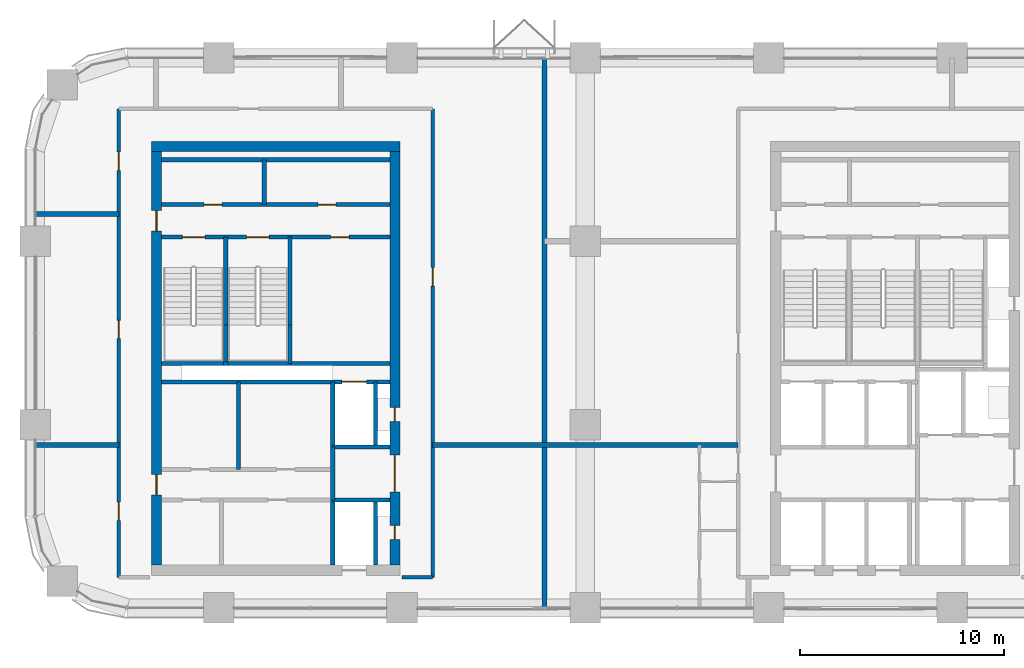
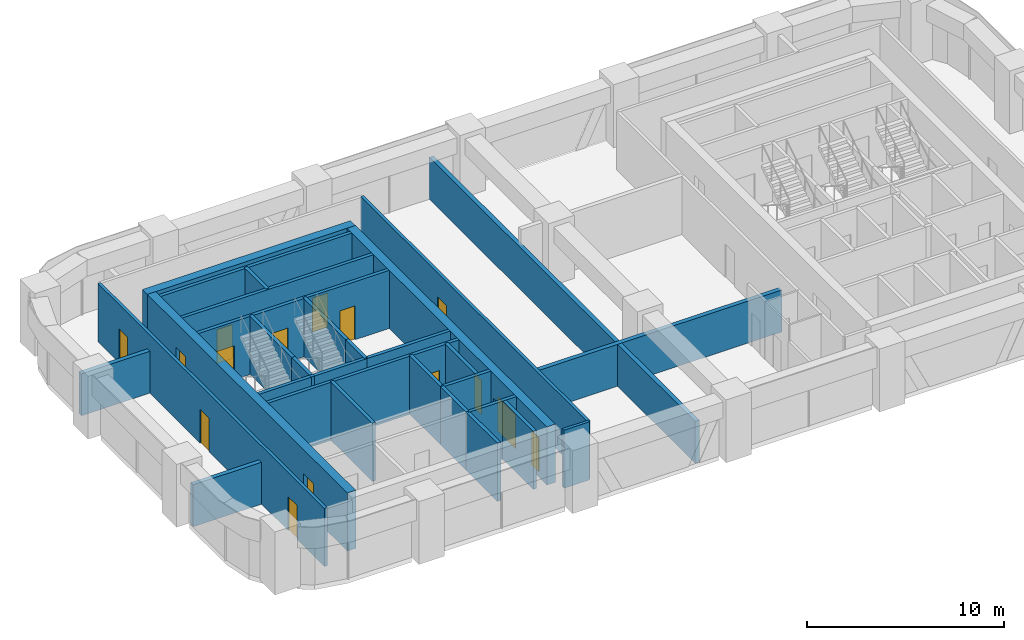
# One storey, part 9 of 14: 32 walls, 15 doors, 15 openings.
"""IFC4 building model written with IfcOpenShell, lengths in metres."""

from ifc_helpers import new_model, si_unit, direction, frame, frame_2d, origin, place, context, subcontext, project, spatial, rectangle, extrude, material, layer, layer_set, type_object, element, fill, save


model = new_model("IFC4")

# Units and contexts
model_context = context("Model", 3, precision=1e-05, world=origin(), true_north=direction((0.0, 1.0)))
body_context = subcontext(model_context, "Body", "Model", "MODEL_VIEW")
ifc_project = project(units=[si_unit("LENGTHUNIT", "METRE"), si_unit("AREAUNIT", "SQUARE_METRE"), si_unit("VOLUMEUNIT", "CUBIC_METRE"), si_unit("PLANEANGLEUNIT", "RADIAN"), si_unit("MASSUNIT", "GRAM", prefix="KILO")], contexts=[model_context])

# Site, building, storey
site_placement = place(None, origin())
site = spatial("IfcSite", under=ifc_project, at=site_placement, CompositionType="ELEMENT")
building_placement = place(site_placement, origin())
building = spatial("IfcBuilding", under=site, at=building_placement, Name="Tessera Arch", CompositionType="ELEMENT")
storey_placement = place(building_placement, frame((0.0, 0.0, 177.800048828125)))
storey = spatial("IfcBuildingStorey", under=building, at=storey_placement, Name="L42", CompositionType="ELEMENT", Elevation=177.800048828125)

# Walls
ifc_material_1 = material(Name="Gypsum board on steel stud", Category="steel")
ifc_layer_1 = layer(ifc_material_1, 0.125)
ifc_layer_set_1 = layer_set([ifc_layer_1], Name="Core partition 125 EI 60")
wall_type_1 = type_object("IfcWallType", Name="Core partition 125 EI 60", PredefinedType="PARTITIONING", material=ifc_layer_set_1)
wall_1_placement = place(storey_placement, frame((9.97998046875, 33.800048828125, 0.0), z_axis=(0.0, 0.0, 1.0), x_axis=(0.0, 1.0, 0.0)))
element("IfcWall", 1, at=wall_1_placement, inside=storey, type_object=wall_type_1, Name="L42 C2 partition wall 4", PredefinedType="PARTITIONING", context=body_context, shape_type="SweptSolid", body=[
    extrude(rectangle(XDim=4.300048828125, YDim=0.199951171875, at=frame_2d((2.14990234375, 0.0))), origin(), (0.0, 0.0, 1.0), 3.599853515625),
])
wall_2_placement = place(storey_placement, frame((11.239990234375, 46.800048828125, 0.0), z_axis=(0.0, 0.0, 1.0), x_axis=(0.0, 1.0, 0.0)))
element("IfcWall", 2, at=wall_2_placement, inside=storey, type_object=wall_type_1, Name="L42 C2 partition wall 5", PredefinedType="PARTITIONING", context=body_context, shape_type="SweptSolid", body=[
    extrude(rectangle(XDim=2.199951171875, YDim=0.199951171875, at=frame_2d((1.10009765625, 0.0))), origin(), (0.0, 0.0, 1.0), 3.599853515625),
])
wall_3_placement = place(storey_placement, frame((14.60009765625, 32.300048828125, 0.0), z_axis=(0.0, 0.0, 1.0), x_axis=(0.0, 1.0, 0.0)))
element("IfcWall", 3, at=wall_3_placement, inside=storey, type_object=wall_type_1, Name="L42 C2 partition wall 8", PredefinedType="PARTITIONING", context=body_context, shape_type="SweptSolid", body=[
    extrude(rectangle(XDim=2.599853515625, YDim=0.199951171875, at=frame_2d((1.2998046875, 0.0))), origin(), (0.0, 0.0, 1.0), 3.599853515625),
])

# Wall, opening, door
wall_4_placement = place(storey_placement, frame((12.5, 45.199951171875, 0.0), z_axis=(0.0, 0.0, 1.0), x_axis=(1.0, 0.0, 0.0)))
wall_4 = element("IfcWall", 4, at=wall_4_placement, inside=storey, type_object=wall_type_1, Name="L42 C2 partition wall 22", PredefinedType="PARTITIONING", context=body_context, shape_type="SweptSolid", body=[
    extrude(rectangle(XDim=4.89990234375, YDim=0.199951171875, at=frame_2d((2.449951171875, 0.0))), origin(), (0.0, 0.0, 1.0), 3.599853515625),
])
opening_1_placement = place(wall_4_placement, frame((2.0, 0.0, 0.0)))
opening_1 = element("IfcOpeningElement", 5, at=opening_1_placement, cuts=wall_4, Name="Opening L42-C31", PredefinedType="OPENING", context=body_context, shape_type="SweptSolid", body=[
    extrude(rectangle(XDim=0.89990234375, YDim=2.10009765625, at=frame_2d((0.449951171875, 1.050048828125))), frame((0.0, 0.10986328125, 0.0), z_axis=(0.0, -1.0, 0.0), x_axis=(1.0, 0.0, 0.0)), (0.0, 0.0, 1.0), 0.219970703125),
])
ifc_material_2 = material(Name="Steel door leaf", Category="steel")
door_type_1 = type_object("IfcDoorType", Name="Store door FD30S 900 x 2100", OperationType="SINGLE_SWING_LEFT", PredefinedType="DOOR", material=ifc_material_2)
door_1_placement = place(opening_1_placement, origin())
door_1 = element("IfcDoor", 6, at=door_1_placement, inside=storey, type_object=door_type_1, Name="L42 C2 door 12 C31 type D09", OperationType="SINGLE_SWING_RIGHT", OverallHeight=2.10009765625, OverallWidth=0.89990234375, PredefinedType="DOOR", context=body_context, shape_type="SweptSolid", body=[
    extrude(rectangle(XDim=0.89990234375, YDim=2.10009765625, at=frame_2d((0.449951171875, 1.050048828125))), frame((0.0, 0.02490234375, 0.0), z_axis=(0.0, -1.0, 0.0), x_axis=(1.0, 0.0, 0.0)), (0.0, 0.0, 1.0), 0.050048828125),
])
fill(opening_1, door_1)

# Wall, openings, doors
wall_5_placement = place(storey_placement, frame((6.199951171875, 46.800048828125, 0.0), z_axis=(0.0, 0.0, 1.0), x_axis=(1.0, 0.0, 0.0)))
wall_5 = element("IfcWall", 7, at=wall_5_placement, inside=storey, type_object=wall_type_1, Name="L42 C2 partition wall 24", PredefinedType="PARTITIONING", context=body_context, shape_type="SweptSolid", body=[
    extrude(rectangle(XDim=11.199951171875, YDim=0.199951171875, at=frame_2d((5.60009765625, 0.0))), origin(), (0.0, 0.0, 1.0), 3.599853515625),
])
opening_2_placement = place(wall_5_placement, frame((2.070068359375, 0.0, 0.0)))
opening_2 = element("IfcOpeningElement", 8, at=opening_2_placement, cuts=wall_5, Name="Opening L42-C29", PredefinedType="OPENING", context=body_context, shape_type="SweptSolid", body=[
    extrude(rectangle(XDim=0.89990234375, YDim=2.10009765625, at=frame_2d((0.449951171875, 1.050048828125))), frame((0.0, 0.10986328125, 0.0), z_axis=(0.0, -1.0, 0.0), x_axis=(1.0, 0.0, 0.0)), (0.0, 0.0, 1.0), 0.219970703125),
])
opening_3_placement = place(wall_5_placement, frame((7.669921875, 0.0, 0.0)))
opening_3 = element("IfcOpeningElement", 9, at=opening_3_placement, cuts=wall_5, Name="Opening L42-C30", PredefinedType="OPENING", context=body_context, shape_type="SweptSolid", body=[
    extrude(rectangle(XDim=0.89990234375, YDim=2.10009765625, at=frame_2d((0.449951171875, 1.050048828125))), frame((0.0, 0.10986328125, 0.0), z_axis=(0.0, -1.0, 0.0), x_axis=(1.0, 0.0, 0.0)), (0.0, 0.0, 1.0), 0.219970703125),
])
door_2_placement = place(opening_2_placement, origin())
door_2 = element("IfcDoor", 10, at=door_2_placement, inside=storey, type_object=door_type_1, Name="L42 C2 door 10 C29 type D09", OperationType="SINGLE_SWING_LEFT", OverallHeight=2.10009765625, OverallWidth=0.89990234375, PredefinedType="DOOR", context=body_context, shape_type="SweptSolid", body=[
    extrude(rectangle(XDim=0.89990234375, YDim=2.10009765625, at=frame_2d((0.449951171875, 1.050048828125))), frame((0.0, 0.02490234375, 0.0), z_axis=(0.0, -1.0, 0.0), x_axis=(1.0, 0.0, 0.0)), (0.0, 0.0, 1.0), 0.050048828125),
])
fill(opening_2, door_2)
door_3_placement = place(opening_3_placement, origin())
door_3 = element("IfcDoor", 11, at=door_3_placement, inside=storey, type_object=door_type_1, Name="L42 C2 door 11 C30 type D09", OperationType="SINGLE_SWING_RIGHT", OverallHeight=2.10009765625, OverallWidth=0.89990234375, PredefinedType="DOOR", context=body_context, shape_type="SweptSolid", body=[
    extrude(rectangle(XDim=0.89990234375, YDim=2.10009765625, at=frame_2d((0.449951171875, 1.050048828125))), frame((0.0, 0.02490234375, 0.0), z_axis=(0.0, -1.0, 0.0), x_axis=(1.0, 0.0, 0.0)), (0.0, 0.0, 1.0), 0.050048828125),
])
fill(opening_3, door_3)

# Walls
wall_6_placement = place(storey_placement, frame((6.199951171875, 49.0, 0.0), z_axis=(0.0, 0.0, 1.0), x_axis=(1.0, 0.0, 0.0)))
element("IfcWall", 12, at=wall_6_placement, inside=storey, type_object=wall_type_1, Name="L42 C2 partition wall 25", PredefinedType="PARTITIONING", context=body_context, shape_type="SweptSolid", body=[
    extrude(rectangle(XDim=11.199951171875, YDim=0.199951171875, at=frame_2d((5.60009765625, 0.0))), origin(), (0.0, 0.0, 1.0), 3.599853515625),
])
ifc_material_3 = material(Name="Concrete C60/75", Category="concrete")
ifc_layer_2 = layer(ifc_material_3, 0.5)
ifc_layer_set_2 = layer_set([ifc_layer_2], Name="Core shell wall 500 C60-75")
wall_type_2 = type_object("IfcWallType", Name="Core shell wall 500 C60-75", PredefinedType="SHEAR", material=ifc_layer_set_2)
wall_7_placement = place(storey_placement, frame((5.699951171875, 49.64990234375, 0.0), z_axis=(0.0, 0.0, 1.0), x_axis=(1.0, 0.0, 0.0)))
element("IfcWall", 13, at=wall_7_placement, inside=storey, type_object=wall_type_2, Name="L42 C2 core wall N", PredefinedType="SHEAR", context=body_context, shape_type="SweptSolid", body=[
    extrude(rectangle(XDim=12.199951171875, YDim=0.5, at=frame_2d((6.10009765625, 0.0))), origin(), (0.0, 0.0, 1.0), 3.599853515625),
])

# Wall, openings, doors
wall_8_placement = place(storey_placement, frame((5.949951171875, 29.10009765625, 0.0), z_axis=(0.0, 0.0, 1.0), x_axis=(0.0, 1.0, 0.0)))
wall_8 = element("IfcWall", 14, at=wall_8_placement, inside=storey, type_object=wall_type_2, Name="L42 C2 core wall W", PredefinedType="SHEAR", context=body_context, shape_type="SweptSolid", body=[
    extrude(rectangle(XDim=20.2998046875, YDim=0.5, at=frame_2d((10.14990234375, 0.0))), origin(), (0.0, 0.0, 1.0), 3.599853515625),
])
opening_4_placement = place(wall_8_placement, frame((3.449951171875, 0.0, 0.0)))
opening_4 = element("IfcOpeningElement", 15, at=opening_4_placement, cuts=wall_8, Name="Opening L42-C27", PredefinedType="OPENING", context=body_context, shape_type="SweptSolid", body=[
    extrude(rectangle(XDim=1.0, YDim=2.10009765625, at=frame_2d((0.5, 1.050048828125))), frame((0.0, 0.260009765625, 0.0), z_axis=(0.0, -1.0, 0.0), x_axis=(1.0, 0.0, 0.0)), (0.0, 0.0, 1.0), 0.52001953125),
])
opening_5_placement = place(wall_8_placement, frame((16.39990234375, 0.0, 0.0)))
opening_5 = element("IfcOpeningElement", 16, at=opening_5_placement, cuts=wall_8, Name="Opening L42-C28", PredefinedType="OPENING", context=body_context, shape_type="SweptSolid", body=[
    extrude(rectangle(XDim=1.0, YDim=2.10009765625, at=frame_2d((0.5, 1.050048828125))), frame((0.0, 0.260009765625, 0.0), z_axis=(0.0, -1.0, 0.0), x_axis=(1.0, 0.0, 0.0)), (0.0, 0.0, 1.0), 0.52001953125),
])
ifc_material_4 = material(Name="Steel door leaf", Category="steel")
door_type_2 = type_object("IfcDoorType", Name="Corridor door FD60 1000 x 2100", OperationType="SINGLE_SWING_LEFT", PredefinedType="DOOR", material=ifc_material_4)
door_4_placement = place(opening_4_placement, origin())
door_4 = element("IfcDoor", 17, at=door_4_placement, inside=storey, type_object=door_type_2, Name="L42 C2 door 8 C27 type D12", OperationType="SINGLE_SWING_LEFT", OverallHeight=2.10009765625, OverallWidth=1.0, PredefinedType="DOOR", context=body_context, shape_type="SweptSolid", body=[
    extrude(rectangle(XDim=1.0, YDim=2.10009765625, at=frame_2d((0.5, 1.050048828125))), frame((0.0, 0.02490234375, 0.0), z_axis=(0.0, -1.0, 0.0), x_axis=(1.0, 0.0, 0.0)), (0.0, 0.0, 1.0), 0.050048828125),
])
fill(opening_4, door_4)
door_5_placement = place(opening_5_placement, origin())
door_5 = element("IfcDoor", 18, at=door_5_placement, inside=storey, type_object=door_type_2, Name="L42 C2 door 9 C28 type D12", OperationType="SINGLE_SWING_RIGHT", OverallHeight=2.10009765625, OverallWidth=1.0, PredefinedType="DOOR", context=body_context, shape_type="SweptSolid", body=[
    extrude(rectangle(XDim=1.0, YDim=2.10009765625, at=frame_2d((0.5, 1.050048828125))), frame((0.0, 0.02490234375, 0.0), z_axis=(0.0, -1.0, 0.0), x_axis=(1.0, 0.0, 0.0)), (0.0, 0.0, 1.0), 0.050048828125),
])
fill(opening_5, door_5)

wall_9_placement = place(storey_placement, frame((17.64990234375, 29.10009765625, 0.0), z_axis=(0.0, 0.0, 1.0), x_axis=(0.0, 1.0, 0.0)))
wall_9 = element("IfcWall", 19, at=wall_9_placement, inside=storey, type_object=wall_type_2, Name="L42 C2 core wall E", PredefinedType="SHEAR", context=body_context, shape_type="SweptSolid", body=[
    extrude(rectangle(XDim=20.2998046875, YDim=0.5, at=frame_2d((10.14990234375, 0.0))), origin(), (0.0, 0.0, 1.0), 3.599853515625),
])
opening_6_placement = place(wall_9_placement, frame((1.25, 0.0, 0.0)))
opening_6 = element("IfcOpeningElement", 20, at=opening_6_placement, cuts=wall_9, Name="Opening L42-C22", PredefinedType="OPENING", context=body_context, shape_type="SweptSolid", body=[
    extrude(rectangle(XDim=0.699951171875, YDim=2.10009765625, at=frame_2d((0.35009765625, 1.050048828125))), frame((0.0, 0.260009765625, 0.0), z_axis=(0.0, -1.0, 0.0), x_axis=(1.0, 0.0, 0.0)), (0.0, 0.0, 1.0), 0.52001953125),
])
opening_7_placement = place(wall_9_placement, frame((7.050048828125, 0.0, 0.0)))
opening_7 = element("IfcOpeningElement", 21, at=opening_7_placement, cuts=wall_9, Name="Opening L42-C23", PredefinedType="OPENING", context=body_context, shape_type="SweptSolid", body=[
    extrude(rectangle(XDim=0.699951171875, YDim=2.10009765625, at=frame_2d((0.35009765625, 1.050048828125))), frame((0.0, 0.260009765625, 0.0), z_axis=(0.0, -1.0, 0.0), x_axis=(1.0, 0.0, 0.0)), (0.0, 0.0, 1.0), 0.52001953125),
])
opening_8_placement = place(wall_9_placement, frame((3.60009765625, 0.0, 0.0)))
opening_8 = element("IfcOpeningElement", 22, at=opening_8_placement, cuts=wall_9, Name="Opening L42-C26", PredefinedType="OPENING", context=body_context, shape_type="SweptSolid", body=[
    extrude(rectangle(XDim=1.800048828125, YDim=2.10009765625, at=frame_2d((0.89990234375, 1.050048828125))), frame((0.0, 0.260009765625, 0.0), z_axis=(0.0, -1.0, 0.0), x_axis=(1.0, 0.0, 0.0)), (0.0, 0.0, 1.0), 0.52001953125),
])
ifc_material_5 = material(Name="Glazed steel door leaf", Category="steel")
door_type_3 = type_object("IfcDoorType", Name="Lobby double door FD30S 1800 x 2100", OperationType="DOUBLE_DOOR_SINGLE_SWING", PredefinedType="DOOR", material=ifc_material_5)
door_6_placement = place(opening_8_placement, origin())
door_6 = element("IfcDoor", 23, at=door_6_placement, inside=storey, type_object=door_type_3, Name="L42 C2 door 7 C26 type D06", OperationType="DOUBLE_DOOR_SINGLE_SWING", OverallHeight=2.10009765625, OverallWidth=1.800048828125, PredefinedType="DOOR", context=body_context, shape_type="SweptSolid", body=[
    extrude(rectangle(XDim=1.800048828125, YDim=2.10009765625, at=frame_2d((0.89990234375, 1.050048828125))), frame((0.0, 0.02490234375, 0.0), z_axis=(0.0, -1.0, 0.0), x_axis=(1.0, 0.0, 0.0)), (0.0, 0.0, 1.0), 0.050048828125),
])
fill(opening_8, door_6)
ifc_material_6 = material(Name="Steel door leaf", Category="steel")
door_type_4 = type_object("IfcDoorType", Name="Service shaft door FD60 700 x 2100", OperationType="SINGLE_SWING_LEFT", PredefinedType="DOOR", material=ifc_material_6)
door_7_placement = place(opening_6_placement, origin())
door_7 = element("IfcDoor", 24, at=door_7_placement, inside=storey, type_object=door_type_4, Name="L42 C2 door 3 C22 type D07", OperationType="SINGLE_SWING_LEFT", OverallHeight=2.10009765625, OverallWidth=0.699951171875, PredefinedType="DOOR", context=body_context, shape_type="SweptSolid", body=[
    extrude(rectangle(XDim=0.699951171875, YDim=2.10009765625, at=frame_2d((0.35009765625, 1.050048828125))), frame((0.0, 0.02490234375, 0.0), z_axis=(0.0, -1.0, 0.0), x_axis=(1.0, 0.0, 0.0)), (0.0, 0.0, 1.0), 0.050048828125),
])
fill(opening_6, door_7)
door_8_placement = place(opening_7_placement, origin())
door_8 = element("IfcDoor", 25, at=door_8_placement, inside=storey, type_object=door_type_4, Name="L42 C2 door 4 C23 type D07", OperationType="SINGLE_SWING_LEFT", OverallHeight=2.10009765625, OverallWidth=0.699951171875, PredefinedType="DOOR", context=body_context, shape_type="SweptSolid", body=[
    extrude(rectangle(XDim=0.699951171875, YDim=2.10009765625, at=frame_2d((0.35009765625, 1.050048828125))), frame((0.0, 0.02490234375, 0.0), z_axis=(0.0, -1.0, 0.0), x_axis=(1.0, 0.0, 0.0)), (0.0, 0.0, 1.0), 0.050048828125),
])
fill(opening_7, door_8)

# Wall
ifc_material_7 = material(Name="Gypsum board on deep steel stud with mineral wool", Category="steel")
ifc_layer_3 = layer(ifc_material_7, 0.175048828125)
ifc_layer_set_3 = layer_set([ifc_layer_3], Name="Corridor wall 175 EI 60")
wall_type_3 = type_object("IfcWallType", Name="Corridor wall 175 EI 60", PredefinedType="PARTITIONING", material=ifc_layer_set_3)
wall_10_placement = place(storey_placement, frame((18.0, 28.5, 0.0), z_axis=(0.0, 0.0, 1.0), x_axis=(1.0, 0.0, 0.0)))
element("IfcWall", 26, at=wall_10_placement, inside=storey, type_object=wall_type_3, Name="L42 partition 2", PredefinedType="PARTITIONING", context=body_context, shape_type="SweptSolid", body=[
    extrude(rectangle(XDim=1.5, YDim=0.175048828125, at=frame_2d((0.75, 0.0))), origin(), (0.0, 0.0, 1.0), 3.599853515625),
])

# Wall, openings, doors
wall_11_placement = place(storey_placement, frame((4.10009765625, 28.5, 0.0), z_axis=(0.0, 0.0, 1.0), x_axis=(0.0, 1.0, 0.0)))
wall_11 = element("IfcWall", 27, at=wall_11_placement, inside=storey, type_object=wall_type_3, Name="L42 partition 7", PredefinedType="PARTITIONING", context=body_context, shape_type="SweptSolid", body=[
    extrude(rectangle(XDim=23.0, YDim=0.175048828125, at=frame_2d((11.5, 0.0))), origin(), (0.0, 0.0, 1.0), 3.599853515625),
])
opening_9_placement = place(wall_11_placement, frame((2.800048828125, 0.0, 0.0)))
opening_9 = element("IfcOpeningElement", 28, at=opening_9_placement, cuts=wall_11, Name="Opening L42-D001", PredefinedType="OPENING", context=body_context, shape_type="SweptSolid", body=[
    extrude(rectangle(XDim=0.89990234375, YDim=2.10009765625, at=frame_2d((0.449951171875, 1.050048828125))), frame((0.0, 0.097412109375, 0.0), z_axis=(0.0, -1.0, 0.0), x_axis=(1.0, 0.0, 0.0)), (0.0, 0.0, 1.0), 0.195068359375),
])
opening_10_placement = place(wall_11_placement, frame((11.719970703125, 0.0, 0.0)))
opening_10 = element("IfcOpeningElement", 29, at=opening_10_placement, cuts=wall_11, Name="Opening L42-D009", PredefinedType="OPENING", context=body_context, shape_type="SweptSolid", body=[
    extrude(rectangle(XDim=0.89990234375, YDim=2.10009765625, at=frame_2d((0.449951171875, 1.050048828125))), frame((0.0, 0.097412109375, 0.0), z_axis=(0.0, -1.0, 0.0), x_axis=(1.0, 0.0, 0.0)), (0.0, 0.0, 1.0), 0.195068359375),
])
opening_11_placement = place(wall_11_placement, frame((19.969970703125, 0.0, 0.0)))
opening_11 = element("IfcOpeningElement", 30, at=opening_11_placement, cuts=wall_11, Name="Opening L42-D011", PredefinedType="OPENING", context=body_context, shape_type="SweptSolid", body=[
    extrude(rectangle(XDim=0.89990234375, YDim=2.10009765625, at=frame_2d((0.449951171875, 1.050048828125))), frame((0.0, 0.097412109375, 0.0), z_axis=(0.0, -1.0, 0.0), x_axis=(1.0, 0.0, 0.0)), (0.0, 0.0, 1.0), 0.195068359375),
])
ifc_material_8 = material(Name="Timber door leaf", Category="wood")
door_type_5 = type_object("IfcDoorType", Name="Room door 900 x 2100", OperationType="SINGLE_SWING_LEFT", PredefinedType="DOOR", material=ifc_material_8)
door_9_placement = place(opening_9_placement, origin())
door_9 = element("IfcDoor", 31, at=door_9_placement, inside=storey, type_object=door_type_5, Name="L42 door D001 type D01", OperationType="SINGLE_SWING_LEFT", OverallHeight=2.10009765625, OverallWidth=0.89990234375, PredefinedType="DOOR", context=body_context, shape_type="SweptSolid", body=[
    extrude(rectangle(XDim=0.89990234375, YDim=2.10009765625, at=frame_2d((0.449951171875, 1.050048828125))), frame((0.0, 0.02490234375, 0.0), z_axis=(0.0, -1.0, 0.0), x_axis=(1.0, 0.0, 0.0)), (0.0, 0.0, 1.0), 0.050048828125),
])
fill(opening_9, door_9)
door_10_placement = place(opening_10_placement, origin())
door_10 = element("IfcDoor", 32, at=door_10_placement, inside=storey, type_object=door_type_5, Name="L42 door D009 type D01", OperationType="SINGLE_SWING_LEFT", OverallHeight=2.10009765625, OverallWidth=0.89990234375, PredefinedType="DOOR", context=body_context, shape_type="SweptSolid", body=[
    extrude(rectangle(XDim=0.89990234375, YDim=2.10009765625, at=frame_2d((0.449951171875, 1.050048828125))), frame((0.0, 0.02490234375, 0.0), z_axis=(0.0, -1.0, 0.0), x_axis=(1.0, 0.0, 0.0)), (0.0, 0.0, 1.0), 0.050048828125),
])
fill(opening_10, door_10)
door_11_placement = place(opening_11_placement, origin())
door_11 = element("IfcDoor", 33, at=door_11_placement, inside=storey, type_object=door_type_5, Name="L42 door D011 type D01", OperationType="SINGLE_SWING_LEFT", OverallHeight=2.10009765625, OverallWidth=0.89990234375, PredefinedType="DOOR", context=body_context, shape_type="SweptSolid", body=[
    extrude(rectangle(XDim=0.89990234375, YDim=2.10009765625, at=frame_2d((0.449951171875, 1.050048828125))), frame((0.0, 0.02490234375, 0.0), z_axis=(0.0, -1.0, 0.0), x_axis=(1.0, 0.0, 0.0)), (0.0, 0.0, 1.0), 0.050048828125),
])
fill(opening_11, door_11)

# Wall, opening, door
wall_12_placement = place(storey_placement, frame((19.5, 28.5, 0.0), z_axis=(0.0, 0.0, 1.0), x_axis=(0.0, 1.0, 0.0)))
wall_12 = element("IfcWall", 34, at=wall_12_placement, inside=storey, type_object=wall_type_3, Name="L42 partition 8", PredefinedType="PARTITIONING", context=body_context, shape_type="SweptSolid", body=[
    extrude(rectangle(XDim=23.0, YDim=0.175048828125, at=frame_2d((11.5, 0.0))), origin(), (0.0, 0.0, 1.0), 3.599853515625),
])
opening_12_placement = place(wall_12_placement, frame((14.300048828125, 0.0, 0.0)))
opening_12 = element("IfcOpeningElement", 35, at=opening_12_placement, cuts=wall_12, Name="Opening L42-D010", PredefinedType="OPENING", context=body_context, shape_type="SweptSolid", body=[
    extrude(rectangle(XDim=0.89990234375, YDim=2.10009765625, at=frame_2d((0.449951171875, 1.050048828125))), frame((0.0, 0.097412109375, 0.0), z_axis=(0.0, -1.0, 0.0), x_axis=(1.0, 0.0, 0.0)), (0.0, 0.0, 1.0), 0.195068359375),
])
door_12_placement = place(opening_12_placement, origin())
door_12 = element("IfcDoor", 36, at=door_12_placement, inside=storey, type_object=door_type_5, Name="L42 door D010 type D01", OperationType="SINGLE_SWING_LEFT", OverallHeight=2.10009765625, OverallWidth=0.89990234375, PredefinedType="DOOR", context=body_context, shape_type="SweptSolid", body=[
    extrude(rectangle(XDim=0.89990234375, YDim=2.10009765625, at=frame_2d((0.449951171875, 1.050048828125))), frame((0.0, 0.02490234375, 0.0), z_axis=(0.0, -1.0, 0.0), x_axis=(1.0, 0.0, 0.0)), (0.0, 0.0, 1.0), 0.050048828125),
])
fill(opening_12, door_12)

# Walls
ifc_material_9 = material(Name="Double gypsum board on twin steel stud with acoustic mineral wool", Category="steel")
ifc_layer_4 = layer(ifc_material_9, 0.25)
ifc_layer_set_4 = layer_set([ifc_layer_4], Name="Party wall 250 EI 60")
wall_type_4 = type_object("IfcWallType", Name="Party wall 250 EI 60", PredefinedType="PARTITIONING", material=ifc_layer_set_4)
wall_13_placement = place(storey_placement, frame((0.0, 35.0, 0.0), z_axis=(0.0, 0.0, 1.0), x_axis=(1.0, 0.0, 0.0)))
element("IfcWall", 37, at=wall_13_placement, inside=storey, type_object=wall_type_4, Name="L42 partition 13", PredefinedType="PARTITIONING", context=body_context, shape_type="SweptSolid", body=[
    extrude(rectangle(XDim=4.10009765625, YDim=0.25, at=frame_2d((2.050048828125, 0.0))), origin(), (0.0, 0.0, 1.0), 2.599853515625),
])
wall_14_placement = place(storey_placement, frame((19.5, 35.0, 0.0), z_axis=(0.0, 0.0, 1.0), x_axis=(1.0, 0.0, 0.0)))
element("IfcWall", 38, at=wall_14_placement, inside=storey, type_object=wall_type_4, Name="L42 partition 14", PredefinedType="PARTITIONING", context=body_context, shape_type="SweptSolid", body=[
    extrude(rectangle(XDim=15.0, YDim=0.25, at=frame_2d((7.5, 0.0))), origin(), (0.0, 0.0, 1.0), 2.599853515625),
])
wall_15_placement = place(storey_placement, frame((0.0, 46.340087890625, 0.0), z_axis=(0.0, 0.0, 1.0), x_axis=(1.0, 0.0, 0.0)))
element("IfcWall", 39, at=wall_15_placement, inside=storey, type_object=wall_type_4, Name="L42 partition 16", PredefinedType="PARTITIONING", context=body_context, shape_type="SweptSolid", body=[
    extrude(rectangle(XDim=4.10009765625, YDim=0.25, at=frame_2d((2.050048828125, 0.0))), origin(), (0.0, 0.0, 1.0), 2.599853515625),
])
wall_16_placement = place(storey_placement, frame((25.0, 27.0, 0.0), z_axis=(0.0, 0.0, 1.0), x_axis=(0.0, 1.0, 0.0)))
element("IfcWall", 40, at=wall_16_placement, inside=storey, type_object=wall_type_4, Name="L42 partition 19", PredefinedType="PARTITIONING", context=body_context, shape_type="SweptSolid", body=[
    extrude(rectangle(XDim=27.0, YDim=0.25, at=frame_2d((13.5, 0.0))), origin(), (0.0, 0.0, 1.0), 2.599853515625),
])
ifc_material_10 = material(Name="Concrete C40/50", Category="concrete")
ifc_layer_5 = layer(ifc_material_10, 0.199951171875)
ifc_layer_set_5 = layer_set([ifc_layer_5], Name="Shaft wall 200 EI 120")
wall_type_5 = type_object("IfcWallType", Name="Shaft wall 200 EI 120", PredefinedType="SOLIDWALL", material=ifc_layer_set_5)
wall_17_placement = place(storey_placement, frame((14.60009765625, 29.10009765625, 0.0), z_axis=(0.0, 0.0, 1.0), x_axis=(0.0, 1.0, 0.0)))
element("IfcWall", 41, at=wall_17_placement, inside=storey, type_object=wall_type_5, Name="L42 C2 shaft wall 9", PredefinedType="SOLIDWALL", context=body_context, shape_type="SweptSolid", body=[
    extrude(rectangle(XDim=3.199951171875, YDim=0.199951171875, at=frame_2d((1.60009765625, 0.0))), origin(), (0.0, 0.0, 1.0), 3.599853515625),
])
wall_18_placement = place(storey_placement, frame((14.60009765625, 34.89990234375, 0.0), z_axis=(0.0, 0.0, 1.0), x_axis=(0.0, 1.0, 0.0)))
element("IfcWall", 42, at=wall_18_placement, inside=storey, type_object=wall_type_5, Name="L42 C2 shaft wall 10", PredefinedType="SOLIDWALL", context=body_context, shape_type="SweptSolid", body=[
    extrude(rectangle(XDim=3.2001953125, YDim=0.199951171875, at=frame_2d((1.60009765625, 0.0))), origin(), (0.0, 0.0, 1.0), 3.599853515625),
])
wall_19_placement = place(storey_placement, frame((16.699951171875, 29.10009765625, 0.0), z_axis=(0.0, 0.0, 1.0), x_axis=(0.0, 1.0, 0.0)))
element("IfcWall", 43, at=wall_19_placement, inside=storey, type_object=wall_type_5, Name="L42 C2 shaft wall 11", PredefinedType="SOLIDWALL", context=body_context, shape_type="SweptSolid", body=[
    extrude(rectangle(XDim=3.199951171875, YDim=0.199951171875, at=frame_2d((1.60009765625, 0.0))), origin(), (0.0, 0.0, 1.0), 3.599853515625),
])
wall_20_placement = place(storey_placement, frame((16.699951171875, 34.89990234375, 0.0), z_axis=(0.0, 0.0, 1.0), x_axis=(0.0, 1.0, 0.0)))
element("IfcWall", 44, at=wall_20_placement, inside=storey, type_object=wall_type_5, Name="L42 C2 shaft wall 12", PredefinedType="SOLIDWALL", context=body_context, shape_type="SweptSolid", body=[
    extrude(rectangle(XDim=3.2001953125, YDim=0.199951171875, at=frame_2d((1.60009765625, 0.0))), origin(), (0.0, 0.0, 1.0), 3.599853515625),
])
for number, where, z_axis, x_axis, name in (
    (45, (14.60009765625, 32.300048828125, 0.0), (0.0, 0.0, 1.0), (1.0, 0.0, 0.0), "L42 C2 shaft wall 14"),
    (46, (14.60009765625, 34.89990234375, 0.0), (0.0, 0.0, 1.0), (1.0, 0.0, 0.0), "L42 C2 shaft wall 16"),
):
    element("IfcWall", number, at=place(storey_placement, frame(where, z_axis=z_axis, x_axis=x_axis)), inside=storey, type_object=wall_type_5, Name=name, PredefinedType="SOLIDWALL", context=body_context, shape_type="SweptSolid", body=[
        extrude(rectangle(XDim=2.7998046875, YDim=0.199951171875, at=frame_2d((1.39990234375, 0.0))), origin(), (0.0, 0.0, 1.0), 3.599853515625),
    ])

# Wall, opening, door
wall_21_placement = place(storey_placement, frame((6.199951171875, 38.10009765625, 0.0), z_axis=(0.0, 0.0, 1.0), x_axis=(1.0, 0.0, 0.0)))
wall_21 = element("IfcWall", 47, at=wall_21_placement, inside=storey, type_object=wall_type_5, Name="L42 C2 shaft wall 17", PredefinedType="SOLIDWALL", context=body_context, shape_type="SweptSolid", body=[
    extrude(rectangle(XDim=11.199951171875, YDim=0.199951171875, at=frame_2d((5.60009765625, 0.0))), origin(), (0.0, 0.0, 1.0), 3.599853515625),
])
opening_13_placement = place(wall_21_placement, frame((8.85009765625, 0.0, 0.0)))
opening_13 = element("IfcOpeningElement", 48, at=opening_13_placement, cuts=wall_21, Name="Opening L42-C21", PredefinedType="OPENING", context=body_context, shape_type="SweptSolid", body=[
    extrude(rectangle(XDim=1.199951171875, YDim=2.10009765625, at=frame_2d((0.60009765625, 1.050048828125))), frame((0.0, 0.10986328125, 0.0), z_axis=(0.0, -1.0, 0.0), x_axis=(1.0, 0.0, 0.0)), (0.0, 0.0, 1.0), 0.219970703125),
])
ifc_material_11 = material(Name="Stainless steel AISI 304", Category="steel")
door_type_6 = type_object("IfcDoorType", Name="Sliding landing door 1200 x 2100", OperationType="SLIDING_TO_LEFT", PredefinedType="DOOR", material=ifc_material_11)
door_13_placement = place(opening_13_placement, origin())
door_13 = element("IfcDoor", 49, at=door_13_placement, inside=storey, type_object=door_type_6, Name="L42 HR8 lift landing door C21 type LD", OperationType="SLIDING_TO_LEFT", OverallHeight=2.10009765625, OverallWidth=1.199951171875, PredefinedType="DOOR", context=body_context, shape_type="SweptSolid", body=[
    extrude(rectangle(XDim=1.199951171875, YDim=2.10009765625, at=frame_2d((0.60009765625, 1.050048828125))), frame((0.0, 0.02490234375, 0.0), z_axis=(0.0, -1.0, 0.0), x_axis=(1.0, 0.0, 0.0)), (0.0, 0.0, 1.0), 0.050048828125),
])
fill(opening_13, door_13)

# Walls
wall_22_placement = place(storey_placement, frame((12.5, 39.0, 0.0), z_axis=(0.0, 0.0, 1.0), x_axis=(1.0, 0.0, 0.0)))
element("IfcWall", 50, at=wall_22_placement, inside=storey, type_object=wall_type_5, Name="L42 C2 shaft wall 18", PredefinedType="SOLIDWALL", context=body_context, shape_type="SweptSolid", body=[
    extrude(rectangle(XDim=4.89990234375, YDim=0.199951171875, at=frame_2d((2.449951171875, 0.0))), origin(), (0.0, 0.0, 1.0), 3.599853515625),
])
ifc_material_12 = material(Name="Concrete C40/50", Category="concrete")
ifc_layer_6 = layer(ifc_material_12, 0.199951171875)
ifc_layer_set_6 = layer_set([ifc_layer_6], Name="Stair well wall 200 REI 180")
wall_type_6 = type_object("IfcWallType", Name="Stair well wall 200 REI 180", PredefinedType="SOLIDWALL", material=ifc_layer_set_6)
wall_23_placement = place(storey_placement, frame((9.35009765625, 39.0, 0.0), z_axis=(0.0, 0.0, 1.0), x_axis=(0.0, 1.0, 0.0)))
element("IfcWall", 51, at=wall_23_placement, inside=storey, type_object=wall_type_6, Name="L42 C2 shaft wall 2", PredefinedType="SOLIDWALL", context=body_context, shape_type="SweptSolid", body=[
    extrude(rectangle(XDim=1.89990234375, YDim=0.199951171875, at=frame_2d((0.949951171875, 0.0))), origin(), (0.0, 0.0, 1.0), 3.599853515625),
])
wall_24_placement = place(storey_placement, frame((9.35009765625, 40.89990234375, 0.0), z_axis=(0.0, 0.0, 1.0), x_axis=(0.0, 1.0, 0.0)))
element("IfcWall", 52, at=wall_24_placement, inside=storey, type_object=wall_type_6, Name="L42 C2 shaft wall 3", PredefinedType="SOLIDWALL", context=body_context, shape_type="SweptSolid", body=[
    extrude(rectangle(XDim=4.300048828125, YDim=0.199951171875, at=frame_2d((2.14990234375, 0.0))), origin(), (0.0, 0.0, 1.0), 3.599853515625),
])
wall_25_placement = place(storey_placement, frame((12.5, 39.0, 0.0), z_axis=(0.0, 0.0, 1.0), x_axis=(0.0, 1.0, 0.0)))
element("IfcWall", 53, at=wall_25_placement, inside=storey, type_object=wall_type_6, Name="L42 C2 shaft wall 6", PredefinedType="SOLIDWALL", context=body_context, shape_type="SweptSolid", body=[
    extrude(rectangle(XDim=1.89990234375, YDim=0.199951171875, at=frame_2d((0.949951171875, 0.0))), origin(), (0.0, 0.0, 1.0), 3.599853515625),
])
wall_26_placement = place(storey_placement, frame((12.5, 40.89990234375, 0.0), z_axis=(0.0, 0.0, 1.0), x_axis=(0.0, 1.0, 0.0)))
element("IfcWall", 54, at=wall_26_placement, inside=storey, type_object=wall_type_6, Name="L42 C2 shaft wall 7", PredefinedType="SOLIDWALL", context=body_context, shape_type="SweptSolid", body=[
    extrude(rectangle(XDim=4.300048828125, YDim=0.199951171875, at=frame_2d((2.14990234375, 0.0))), origin(), (0.0, 0.0, 1.0), 3.599853515625),
])
wall_27_placement = place(storey_placement, frame((6.199951171875, 39.0, 0.0), z_axis=(0.0, 0.0, 1.0), x_axis=(1.0, 0.0, 0.0)))
element("IfcWall", 55, at=wall_27_placement, inside=storey, type_object=wall_type_6, Name="L42 C2 shaft wall 19", PredefinedType="SOLIDWALL", context=body_context, shape_type="SweptSolid", body=[
    extrude(rectangle(XDim=3.050048828125, YDim=0.199951171875, at=frame_2d((1.52490234375, 0.0))), origin(), (0.0, 0.0, 1.0), 3.599853515625),
])
wall_28_placement = place(storey_placement, frame((9.25, 39.0, 0.0), z_axis=(0.0, 0.0, 1.0), x_axis=(1.0, 0.0, 0.0)))
element("IfcWall", 56, at=wall_28_placement, inside=storey, type_object=wall_type_6, Name="L42 C2 shaft wall 20", PredefinedType="SOLIDWALL", context=body_context, shape_type="SweptSolid", body=[
    extrude(rectangle(XDim=0.199951171875, YDim=0.199951171875, at=frame_2d((0.10009765625, 0.0))), origin(), (0.0, 0.0, 1.0), 3.599853515625),
])
wall_29_placement = place(storey_placement, frame((9.449951171875, 39.0, 0.0), z_axis=(0.0, 0.0, 1.0), x_axis=(1.0, 0.0, 0.0)))
element("IfcWall", 57, at=wall_29_placement, inside=storey, type_object=wall_type_6, Name="L42 C2 shaft wall 21", PredefinedType="SOLIDWALL", context=body_context, shape_type="SweptSolid", body=[
    extrude(rectangle(XDim=3.050048828125, YDim=0.199951171875, at=frame_2d((1.52490234375, 0.0))), origin(), (0.0, 0.0, 1.0), 3.599853515625),
])

# Wall, openings, doors
wall_30_placement = place(storey_placement, frame((6.199951171875, 45.199951171875, 0.0), z_axis=(0.0, 0.0, 1.0), x_axis=(1.0, 0.0, 0.0)))
wall_30 = element("IfcWall", 58, at=wall_30_placement, inside=storey, type_object=wall_type_6, Name="L42 C2 shaft wall 23", PredefinedType="SOLIDWALL", context=body_context, shape_type="SweptSolid", body=[
    extrude(rectangle(XDim=6.300048828125, YDim=0.199951171875, at=frame_2d((3.14990234375, 0.0))), origin(), (0.0, 0.0, 1.0), 3.599853515625),
])
opening_14_placement = place(wall_30_placement, frame((1.02490234375, 0.0, 0.0)))
opening_14 = element("IfcOpeningElement", 59, at=opening_14_placement, cuts=wall_30, Name="Opening L42-C24", PredefinedType="OPENING", context=body_context, shape_type="SweptSolid", body=[
    extrude(rectangle(XDim=1.10009765625, YDim=2.10009765625, at=frame_2d((0.550048828125, 1.050048828125))), frame((0.0, 0.10986328125, 0.0), z_axis=(0.0, -1.0, 0.0), x_axis=(1.0, 0.0, 0.0)), (0.0, 0.0, 1.0), 0.219970703125),
])
opening_15_placement = place(wall_30_placement, frame((4.175048828125, 0.0, 0.0)))
opening_15 = element("IfcOpeningElement", 60, at=opening_15_placement, cuts=wall_30, Name="Opening L42-C25", PredefinedType="OPENING", context=body_context, shape_type="SweptSolid", body=[
    extrude(rectangle(XDim=1.10009765625, YDim=2.10009765625, at=frame_2d((0.550048828125, 1.050048828125))), frame((0.0, 0.10986328125, 0.0), z_axis=(0.0, -1.0, 0.0), x_axis=(1.0, 0.0, 0.0)), (0.0, 0.0, 1.0), 0.219970703125),
])
ifc_material_13 = material(Name="Steel door leaf", Category="steel")
door_type_7 = type_object("IfcDoorType", Name="Stair door FD60 1100 x 2100", OperationType="SINGLE_SWING_LEFT", PredefinedType="DOOR", material=ifc_material_13)
door_14_placement = place(opening_14_placement, origin())
door_14 = element("IfcDoor", 61, at=door_14_placement, inside=storey, type_object=door_type_7, Name="L42 C2 door 5 C24 type D05", OperationType="SINGLE_SWING_LEFT", OverallHeight=2.10009765625, OverallWidth=1.10009765625, PredefinedType="DOOR", context=body_context, shape_type="SweptSolid", body=[
    extrude(rectangle(XDim=1.10009765625, YDim=2.10009765625, at=frame_2d((0.550048828125, 1.050048828125))), frame((0.0, 0.02490234375, 0.0), z_axis=(0.0, -1.0, 0.0), x_axis=(1.0, 0.0, 0.0)), (0.0, 0.0, 1.0), 0.050048828125),
])
fill(opening_14, door_14)
door_15_placement = place(opening_15_placement, origin())
door_15 = element("IfcDoor", 62, at=door_15_placement, inside=storey, type_object=door_type_7, Name="L42 C2 door 6 C25 type D05", OperationType="SINGLE_SWING_RIGHT", OverallHeight=2.10009765625, OverallWidth=1.10009765625, PredefinedType="DOOR", context=body_context, shape_type="SweptSolid", body=[
    extrude(rectangle(XDim=1.10009765625, YDim=2.10009765625, at=frame_2d((0.550048828125, 1.050048828125))), frame((0.0, 0.02490234375, 0.0), z_axis=(0.0, -1.0, 0.0), x_axis=(1.0, 0.0, 0.0)), (0.0, 0.0, 1.0), 0.050048828125),
])
fill(opening_15, door_15)

save(model, "model.ifc")
